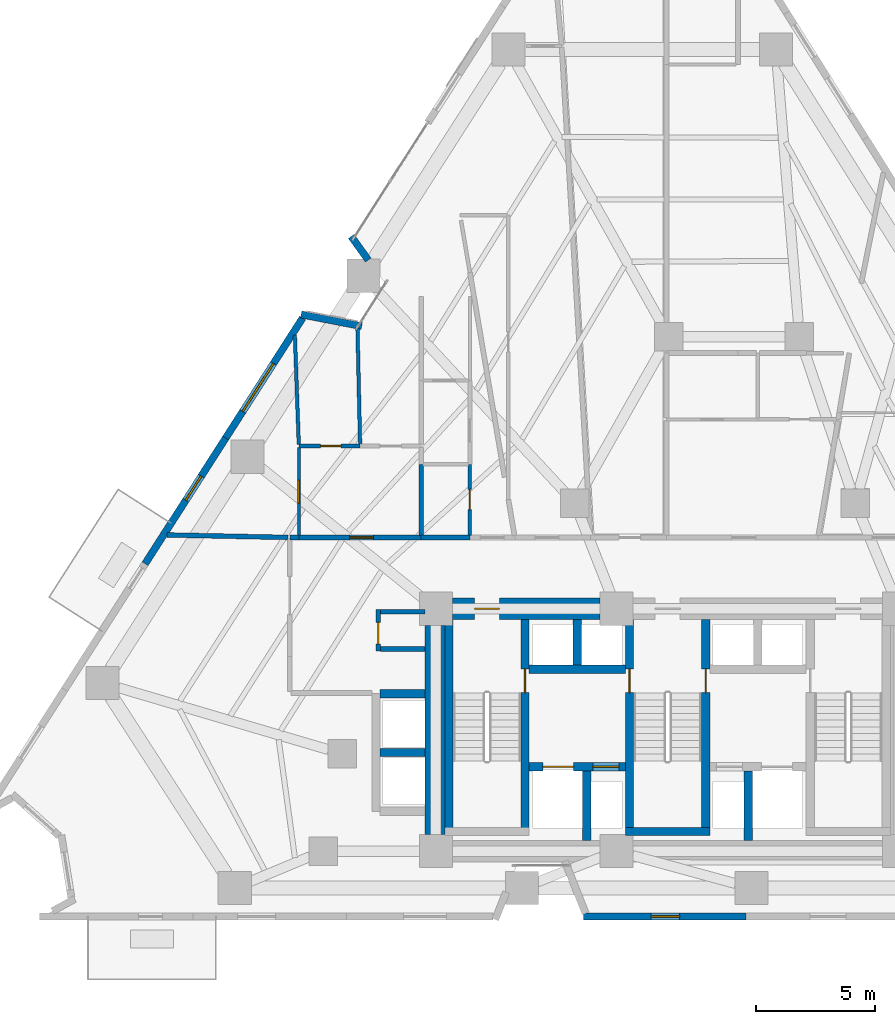
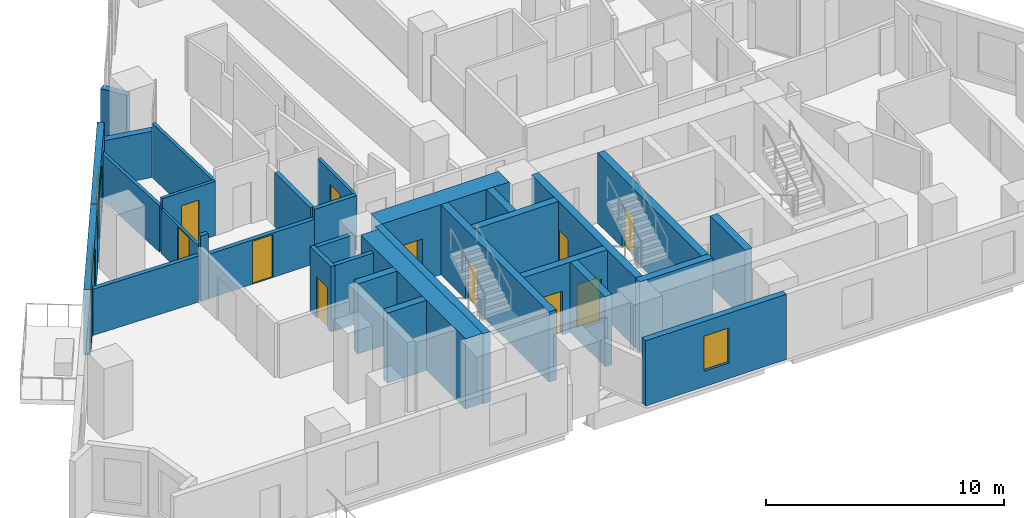
# One storey, part 6 of 14: 32 walls, 11 doors, 3 windows, 14 openings.
"""IFC4 building model written with IfcOpenShell, lengths in metres."""

from ifc_helpers import new_model, si_unit, direction, frame, frame_2d, origin, place, context, subcontext, project, spatial, rectangle, extrude, material, layer, layer_set, type_object, element, fill, save


model = new_model("IFC4")

# Units and contexts
model_context = context("Model", 3, precision=1e-05, world=origin(), true_north=direction((0.0, 1.0)))
body_context = subcontext(model_context, "Body", "Model", "MODEL_VIEW")
ifc_project = project(units=[si_unit("LENGTHUNIT", "METRE"), si_unit("AREAUNIT", "SQUARE_METRE"), si_unit("VOLUMEUNIT", "CUBIC_METRE"), si_unit("PLANEANGLEUNIT", "RADIAN"), si_unit("MASSUNIT", "GRAM", prefix="KILO")], contexts=[model_context])

# Site, building, storey
site_placement = place(None, origin())
site = spatial("IfcSite", under=ifc_project, at=site_placement, CompositionType="ELEMENT")
building_placement = place(site_placement, origin())
building = spatial("IfcBuilding", under=site, at=building_placement, Name="Almagre Mirador Tower", CompositionType="ELEMENT")
storey_placement = place(building_placement, frame((0.0, 0.0, 67.800048828125)))
storey = spatial("IfcBuildingStorey", under=building, at=storey_placement, Name="L16", CompositionType="ELEMENT", Elevation=67.800048828125)

# Walls
ifc_material_1 = material(Name="Precast concrete C50/60", Category="concrete")
ifc_layer_1 = layer(ifc_material_1, 0.300048828125)
ifc_layer_set_1 = layer_set([ifc_layer_1], Name="Precast concrete C50/60")
wall_type_1 = type_object("IfcWallType", Name="WAL-EXT-300", PredefinedType="SOLIDWALL", material=ifc_layer_set_1)
wall_1_placement = place(storey_placement, frame((21.878662109375, 27.134521484375, 0.0), z_axis=(0.0, 0.0, 1.0), x_axis=(0.981760587394, -0.190121406053, 0.0)))
element("IfcWall", 1, at=wall_1_placement, inside=storey, type_object=wall_type_1, Name="L16 expressed almagre precast frame wall 01", PredefinedType="SOLIDWALL", context=body_context, shape_type="SweptSolid", body=[
    extrude(rectangle(XDim=2.593994140625, YDim=0.300048828125, at=frame_2d((1.296875, 0.0))), origin(), (0.0, 0.0, 1.0), 2.375),
])
wall_2_placement = place(storey_placement, frame((24.7001953125, 29.423095703125, 0.0), z_axis=(0.0, 0.0, 1.0), x_axis=(-0.583004903736, 0.812468634607, 0.0)))
element("IfcWall", 2, at=wall_2_placement, inside=storey, type_object=wall_type_1, Name="L16 expressed almagre precast frame wall 02", PredefinedType="SOLIDWALL", context=body_context, shape_type="SweptSolid", body=[
    extrude(rectangle(XDim=1.227783203125, YDim=0.300048828125, at=frame_2d((0.61376953125, 0.0))), origin(), (0.0, 0.0, 1.0), 2.375),
])

# Wall, opening, window
wall_3_placement = place(storey_placement, frame((40.60498046875, 1.800048828125, 0.0), z_axis=(0.0, 0.0, 1.0), x_axis=(-1.0, 0.0, 0.0)))
wall_3 = element("IfcWall", 3, at=wall_3_placement, inside=storey, type_object=wall_type_1, Name="L16 expressed almagre precast frame wall 25", PredefinedType="SOLIDWALL", context=body_context, shape_type="SweptSolid", body=[
    extrude(rectangle(XDim=6.844970703125, YDim=0.300048828125, at=frame_2d((3.42236328125, 0.0))), origin(), (0.0, 0.0, 1.0), 3.349853515625),
])
opening_1_placement = place(wall_3_placement, frame((2.800048828125, 0.0, 0.800048828125)))
opening_1 = element("IfcOpeningElement", 4, at=opening_1_placement, cuts=wall_3, Name="Opening WN-04", PredefinedType="OPENING", context=body_context, shape_type="SweptSolid", body=[
    extrude(rectangle(XDim=1.199951171875, YDim=1.800048828125, at=frame_2d((0.60009765625, 0.89990234375))), frame((0.0, 0.159902, 0.0), z_axis=(0.0, -1.0, 0.0), x_axis=(1.0, 0.0, 0.0)), (0.0, 0.0, 1.0), 0.320049),
])
ifc_material_2 = material(Name="Dark solar-control laminated hurricane glass", Category="glass")
window_type_1 = type_object("IfcWindowType", Name="WIN-1200X1800", PartitioningType="SINGLE_PANEL", PredefinedType="WINDOW", material=ifc_material_2)
window_1_placement = place(opening_1_placement, origin())
window_1 = element("IfcWindow", 5, at=window_1_placement, inside=storey, type_object=window_type_1, Name="L16 recessed hurricane window L16-RST-B", OverallHeight=1.800048828125, OverallWidth=1.199951171875, PartitioningType="SINGLE_PANEL", PredefinedType="WINDOW", context=body_context, shape_type="SweptSolid", body=[
    extrude(rectangle(XDim=1.199951171875, YDim=1.800048828125, at=frame_2d((0.60009765625, 0.89990234375))), frame((0.0, 0.030029296875, 0.0), z_axis=(0.0, -1.0, 0.0), x_axis=(1.0, 0.0, 0.0)), (0.0, 0.0, 1.0), 0.06005859375),
])
fill(opening_1, window_1)

wall_4_placement = place(storey_placement, frame((15.310546875, 16.64306640625, 0.0), z_axis=(0.0, 0.0, 1.0), x_axis=(0.539502306827, 0.841984121542, 0.0)))
wall_4 = element("IfcWall", 6, at=wall_4_placement, inside=storey, type_object=wall_type_1, Name="L16 expressed almagre precast frame wall 37", PredefinedType="SOLIDWALL", context=body_context, shape_type="SweptSolid", body=[
    extrude(rectangle(XDim=6.2841796875, YDim=0.300048828125, at=frame_2d((3.14208984375, 0.0))), origin(), (0.0, 0.0, 1.0), 3.349853515625),
])
opening_2_placement = place(wall_4_placement, frame((3.175048828125, 0.0, 0.800048828125)))
opening_2 = element("IfcOpeningElement", 7, at=opening_2_placement, cuts=wall_4, Name="Opening WN-04", PredefinedType="OPENING", context=body_context, shape_type="SweptSolid", body=[
    extrude(rectangle(XDim=1.199951171875, YDim=1.800048828125, at=frame_2d((0.60009765625, 0.89990234375))), frame((0.0, 0.159902, 0.0), z_axis=(0.0, -1.0, 0.0), x_axis=(1.0, 0.0, 0.0)), (0.0, 0.0, 1.0), 0.320049),
])
window_2_placement = place(opening_2_placement, origin())
window_2 = element("IfcWindow", 8, at=window_2_placement, inside=storey, type_object=window_type_1, Name="L16 recessed hurricane window L16-UF-KT", OverallHeight=1.800048828125, OverallWidth=1.199951171875, PartitioningType="SINGLE_PANEL", PredefinedType="WINDOW", context=body_context, shape_type="SweptSolid", body=[
    extrude(rectangle(XDim=1.199951171875, YDim=1.800048828125, at=frame_2d((0.60009765625, 0.89990234375))), frame((0.0, 0.030029296875, 0.0), z_axis=(0.0, -1.0, 0.0), x_axis=(1.0, 0.0, 0.0)), (0.0, 0.0, 1.0), 0.06005859375),
])
fill(opening_2, window_2)

wall_5_placement = place(storey_placement, frame((18.700927734375, 21.934326171875, 0.0), z_axis=(0.0, 0.0, 1.0), x_axis=(0.539511671319, 0.841978121159, 0.0)))
wall_5 = element("IfcWall", 9, at=wall_5_placement, inside=storey, type_object=wall_type_1, Name="L16 expressed almagre precast frame wall 38", PredefinedType="SOLIDWALL", context=body_context, shape_type="SweptSolid", body=[
    extrude(rectangle(XDim=6.00439453125, YDim=0.300048828125, at=frame_2d((3.002197265625, 0.0))), origin(), (0.0, 0.0, 1.0), 3.349853515625),
])
opening_3_placement = place(wall_5_placement, frame((1.324951171875, 0.0, 0.60009765625)))
opening_3 = element("IfcOpeningElement", 10, at=opening_3_placement, cuts=wall_5, Name="Opening WN-02", PredefinedType="OPENING", context=body_context, shape_type="SweptSolid", body=[
    extrude(rectangle(XDim=2.39990234375, YDim=2.10009765625, at=frame_2d((1.199951171875, 1.050048828125))), frame((0.0, 0.159902, 0.0), z_axis=(0.0, -1.0, 0.0), x_axis=(1.0, 0.0, 0.0)), (0.0, 0.0, 1.0), 0.320049),
])
ifc_material_3 = material(Name="Dark solar-control laminated hurricane glass", Category="glass")
window_type_2 = type_object("IfcWindowType", Name="WIN-2400X2100", PartitioningType="TRIPLE_PANEL_VERTICAL", PredefinedType="WINDOW", material=ifc_material_3)
window_3_placement = place(opening_3_placement, origin())
window_3 = element("IfcWindow", 11, at=window_3_placement, inside=storey, type_object=window_type_2, Name="L16 recessed hurricane window L16-UF-KT", OverallHeight=2.10009765625, OverallWidth=2.39990234375, PartitioningType="SINGLE_PANEL", PredefinedType="WINDOW", context=body_context, shape_type="SweptSolid", body=[
    extrude(rectangle(XDim=2.39990234375, YDim=2.10009765625, at=frame_2d((1.199951171875, 1.050048828125))), frame((0.0, 0.030029296875, 0.0), z_axis=(0.0, -1.0, 0.0), x_axis=(1.0, 0.0, 0.0)), (0.0, 0.0, 1.0), 0.06005859375),
])
fill(opening_3, window_3)

# Wall, opening, door
ifc_material_4 = material(Name="Gypsum acoustic stud partition", Category="other")
ifc_layer_2 = layer(ifc_material_4, 0.125)
ifc_layer_set_2 = layer_set([ifc_layer_2], Name="Gypsum acoustic stud partition")
wall_type_2 = type_object("IfcWallType", Name="WAL-PRT-125-UTL", PredefinedType="PARTITIONING", material=ifc_layer_set_2)
wall_6_placement = place(storey_placement, frame((21.780029296875, 21.5400390625, 0.0), z_axis=(0.0, 0.0, 1.0), x_axis=(0.0, -1.0, 0.0)))
wall_6 = element("IfcWall", 12, at=wall_6_placement, inside=storey, type_object=wall_type_2, Name="L16 interior partition 038", PredefinedType="PARTITIONING", context=body_context, shape_type="SweptSolid", body=[
    extrude(rectangle(XDim=3.705078125, YDim=0.125, at=frame_2d((1.8525390625, 0.0))), origin(), (0.0, 0.0, 1.0), 2.279052734375),
])
opening_4_placement = place(wall_6_placement, frame((1.389892578125, 0.0, 0.0)))
opening_4 = element("IfcOpeningElement", 13, at=opening_4_placement, cuts=wall_6, Name="Opening UD-01", PredefinedType="OPENING", context=body_context, shape_type="SweptSolid", body=[
    extrude(rectangle(XDim=0.949951171875, YDim=2.199951171875, at=frame_2d((0.47509765625, 1.10009765625))), frame((0.0, 0.0725, 0.0), z_axis=(0.0, -1.0, 0.0), x_axis=(1.0, 0.0, 0.0)), (0.0, 0.0, 1.0), 0.145),
])
ifc_material_5 = material(Name="Solid American walnut timber", Category="wood")
door_type_1 = type_object("IfcDoorType", Name="DOR-UNR-950X2200", OperationType="NOTDEFINED", PredefinedType="DOOR", material=ifc_material_5)
door_1_placement = place(opening_4_placement, origin())
door_1 = element("IfcDoor", 14, at=door_1_placement, inside=storey, type_object=door_type_1, Name="DR-0544 L16 interior door L16-UF-LV to L16-UF-KT", OperationType="SINGLE_SWING_RIGHT", OverallHeight=2.199951171875, OverallWidth=0.949951171875, PredefinedType="DOOR", context=body_context, shape_type="SweptSolid", body=[
    extrude(rectangle(XDim=0.949951171875, YDim=2.199951171875, at=frame_2d((0.47509765625, 1.10009765625))), frame((0.0, 0.02490234375, 0.0), z_axis=(0.0, -1.0, 0.0), x_axis=(1.0, 0.0, 0.0)), (0.0, 0.0, 1.0), 0.050048828125),
])
fill(opening_4, door_1)

ifc_material_6 = material(Name="Gypsum acoustic stud partition", Category="other")
ifc_layer_3 = layer(ifc_material_6, 0.14990234375)
ifc_layer_set_3 = layer_set([ifc_layer_3], Name="Gypsum acoustic stud partition")
wall_type_3 = type_object("IfcWallType", Name="WAL-PRT-150-STD", PredefinedType="PARTITIONING", material=ifc_layer_set_3)
wall_7_placement = place(storey_placement, frame((24.360107421875, 21.60009765625, 0.0), z_axis=(0.0, 0.0, 1.0), x_axis=(-1.0, 0.0, 0.0)))
wall_7 = element("IfcWall", 15, at=wall_7_placement, inside=storey, type_object=wall_type_3, Name="L16 interior partition 037", PredefinedType="PARTITIONING", context=body_context, shape_type="SweptSolid", body=[
    extrude(rectangle(XDim=2.580078125, YDim=0.14990234375, at=frame_2d((1.2900390625, 0.0))), origin(), (0.0, 0.0, 1.0), 2.786865234375),
])
opening_5_placement = place(wall_7_placement, frame((0.80908203125, 0.0, 0.0)))
opening_5 = element("IfcOpeningElement", 16, at=opening_5_placement, cuts=wall_7, Name="Opening UD-04", PredefinedType="OPENING", context=body_context, shape_type="SweptSolid", body=[
    extrude(rectangle(XDim=0.85009765625, YDim=2.10009765625, at=frame_2d((0.425048828125, 1.050048828125))), frame((0.0, 0.084951, 0.0), z_axis=(0.0, -1.0, 0.0), x_axis=(1.0, 0.0, 0.0)), (0.0, 0.0, 1.0), 0.169902),
])
ifc_material_7 = material(Name="Moisture-resistant oak timber", Category="wood")
door_type_2 = type_object("IfcDoorType", Name="DOR-UNR-850X2100", OperationType="NOTDEFINED", PredefinedType="DOOR", material=ifc_material_7)
door_2_placement = place(opening_5_placement, origin())
door_2 = element("IfcDoor", 17, at=door_2_placement, inside=storey, type_object=door_type_2, Name="DR-0545 L16 interior door L16-UF-LV to L16-UF-HB", OperationType="SINGLE_SWING_LEFT", OverallHeight=2.10009765625, OverallWidth=0.85009765625, PredefinedType="DOOR", context=body_context, shape_type="SweptSolid", body=[
    extrude(rectangle(XDim=0.85009765625, YDim=2.10009765625, at=frame_2d((0.425048828125, 1.050048828125))), frame((0.0, 0.02490234375, 0.0), z_axis=(0.0, -1.0, 0.0), x_axis=(1.0, 0.0, 0.0)), (0.0, 0.0, 1.0), 0.050048828125),
])
fill(opening_5, door_2)

# Walls
wall_8_placement = place(storey_placement, frame((21.614013671875, 26.261962890625, 0.0), z_axis=(0.0, 0.0, 1.0), x_axis=(0.035733133252, -0.999361367668, 0.0)))
element("IfcWall", 18, at=wall_8_placement, inside=storey, type_object=wall_type_3, Name="L16 interior partition 042", PredefinedType="PARTITIONING", context=body_context, shape_type="SweptSolid", body=[
    extrude(rectangle(XDim=4.60498046875, YDim=0.14990234375, at=frame_2d((2.302490234375, 0.0))), origin(), (0.0, 0.0, 1.0), 2.369873046875),
])
wall_9_placement = place(storey_placement, frame((24.359130859375, 21.659912109375, 0.0), z_axis=(0.0, 0.0, 1.0), x_axis=(-0.02266370042, 0.999743145354, 0.0)))
element("IfcWall", 19, at=wall_9_placement, inside=storey, type_object=wall_type_3, Name="L16 interior partition 043", PredefinedType="PARTITIONING", context=body_context, shape_type="SweptSolid", body=[
    extrude(rectangle(XDim=4.9013671875, YDim=0.14990234375, at=frame_2d((2.45068359375, 0.0))), origin(), (0.0, 0.0, 1.0), 2.786865234375),
])

# Wall, opening, door
wall_10_placement = place(storey_placement, frame((28.97998046875, 20.830078125, 0.0), z_axis=(0.0, 0.0, 1.0), x_axis=(0.0, -1.0, 0.0)))
wall_10 = element("IfcWall", 20, at=wall_10_placement, inside=storey, type_object=wall_type_3, Name="L16 interior partition 046", PredefinedType="PARTITIONING", context=body_context, shape_type="SweptSolid", body=[
    extrude(rectangle(XDim=2.9951171875, YDim=0.14990234375, at=frame_2d((1.49755859375, 0.0))), origin(), (0.0, 0.0, 1.0), 2.786865234375),
])
opening_6_placement = place(wall_10_placement, frame((1.0576171875, 0.0, 0.0)))
opening_6 = element("IfcOpeningElement", 21, at=opening_6_placement, cuts=wall_10, Name="Opening UD-04", PredefinedType="OPENING", context=body_context, shape_type="SweptSolid", body=[
    extrude(rectangle(XDim=0.85009765625, YDim=2.10009765625, at=frame_2d((0.425048828125, 1.050048828125))), frame((0.0, 0.084951, 0.0), z_axis=(0.0, -1.0, 0.0), x_axis=(1.0, 0.0, 0.0)), (0.0, 0.0, 1.0), 0.169902),
])
door_3_placement = place(opening_6_placement, origin())
door_3 = element("IfcDoor", 22, at=door_3_placement, inside=storey, type_object=door_type_2, Name="DR-0550 L16 interior door L16-UG-ST to L16-UG-HB", OperationType="SINGLE_SWING_LEFT", OverallHeight=2.10009765625, OverallWidth=0.85009765625, PredefinedType="DOOR", context=body_context, shape_type="SweptSolid", body=[
    extrude(rectangle(XDim=0.85009765625, YDim=2.10009765625, at=frame_2d((0.425048828125, 1.050048828125))), frame((0.0, 0.02490234375, 0.0), z_axis=(0.0, -1.0, 0.0), x_axis=(1.0, 0.0, 0.0)), (0.0, 0.0, 1.0), 0.050048828125),
])
fill(opening_6, door_3)

ifc_material_8 = material(Name="Gypsum acoustic stud partition", Category="other")
ifc_layer_4 = layer(ifc_material_8, 0.199951171875)
ifc_layer_set_4 = layer_set([ifc_layer_4], Name="Gypsum acoustic stud partition")
wall_type_4 = type_object("IfcWallType", Name="WAL-PRT-200-EI60", PredefinedType="PARTITIONING", material=ifc_layer_set_4)
wall_11_placement = place(storey_placement, frame((25.1201171875, 12.969970703125, 0.0), z_axis=(0.0, 0.0, 1.0), x_axis=(0.0, 1.0, 0.0)))
wall_11 = element("IfcWall", 23, at=wall_11_placement, inside=storey, type_object=wall_type_4, Name="L16 core ancillary west wall", PredefinedType="PARTITIONING", context=body_context, shape_type="SweptSolid", body=[
    extrude(rectangle(XDim=1.739990234375, YDim=0.199951171875, at=frame_2d((0.8701171875, 0.0))), origin(), (0.0, 0.0, 1.0), 3.349853515625),
])
opening_7_placement = place(wall_11_placement, frame((0.304931640625, 0.0, 0.0)))
opening_7 = element("IfcOpeningElement", 24, at=opening_7_placement, cuts=wall_11, Name="Opening ID-03", PredefinedType="OPENING", context=body_context, shape_type="SweptSolid", body=[
    extrude(rectangle(XDim=0.89990234375, YDim=2.10009765625, at=frame_2d((0.449951171875, 1.050048828125))), frame((0.0, 0.110098, 0.0), z_axis=(0.0, -1.0, 0.0), x_axis=(1.0, 0.0, 0.0)), (0.0, 0.0, 1.0), 0.219951),
])
ifc_material_9 = material(Name="Fire-rated hollow steel", Category="steel")
door_type_3 = type_object("IfcDoorType", Name="DOR-FD60-900X2100", OperationType="NOTDEFINED", PredefinedType="DOOR", material=ifc_material_9)
door_4_placement = place(opening_7_placement, origin())
door_4 = element("IfcDoor", 25, at=door_4_placement, inside=storey, type_object=door_type_3, Name="DR-0531 L16 core ancillary corridor door", OperationType="SINGLE_SWING_LEFT", OverallHeight=2.10009765625, OverallWidth=0.89990234375, PredefinedType="DOOR", context=body_context, shape_type="SweptSolid", body=[
    extrude(rectangle(XDim=0.89990234375, YDim=2.10009765625, at=frame_2d((0.449951171875, 1.050048828125))), frame((0.0, 0.02490234375, 0.0), z_axis=(0.0, -1.0, 0.0), x_axis=(1.0, 0.0, 0.0)), (0.0, 0.0, 1.0), 0.050048828125),
])
fill(opening_7, door_4)

# Walls
for number, where, z_axis, x_axis, name in (
    (26, (25.22509765625, 14.6201171875, 0.0), (0.0, 0.0, 1.0), (1.0, 0.0, 0.0), "L16 core ancillary north wall"),
    (27, (25.22509765625, 13.06005859375, 0.0), (0.0, 0.0, 1.0), (1.0, 0.0, 0.0), "L16 core ancillary south wall"),
):
    element("IfcWall", number, at=place(storey_placement, frame(where, z_axis=z_axis, x_axis=x_axis)), inside=storey, type_object=wall_type_4, Name=name, PredefinedType="PARTITIONING", context=body_context, shape_type="SweptSolid", body=[
        extrude(rectangle(XDim=1.85986328125, YDim=0.199951171875, at=frame_2d((0.929931640625, 0.0))), origin(), (0.0, 0.0, 1.0), 3.349853515625),
    ])

# Wall, opening, door
wall_12_placement = place(storey_placement, frame((26.929931640625, 17.75, 0.0), z_axis=(0.0, 0.0, 1.0), x_axis=(-1.0, 0.0, 0.0)))
wall_12 = element("IfcWall", 28, at=wall_12_placement, inside=storey, type_object=wall_type_4, Name="L16 interior partition 008", PredefinedType="PARTITIONING", context=body_context, shape_type="SweptSolid", body=[
    extrude(rectangle(XDim=5.14990234375, YDim=0.199951171875, at=frame_2d((2.574951171875, 0.0))), origin(), (0.0, 0.0, 1.0), 2.279052734375),
])
opening_8_placement = place(wall_12_placement, frame((2.016357421875, 0.0, 0.0)))
opening_8 = element("IfcOpeningElement", 29, at=opening_8_placement, cuts=wall_12, Name="Opening ID-01", PredefinedType="OPENING", context=body_context, shape_type="SweptSolid", body=[
    extrude(rectangle(XDim=1.0, YDim=2.199951171875, at=frame_2d((0.5, 1.10009765625))), frame((0.0, 0.110098, 0.0), z_axis=(0.0, -1.0, 0.0), x_axis=(1.0, 0.0, 0.0)), (0.0, 0.0, 1.0), 0.219951),
])
ifc_material_10 = material(Name="Fire-rated walnut timber", Category="wood")
door_type_4 = type_object("IfcDoorType", Name="DOR-FD60-1000X2200", OperationType="NOTDEFINED", PredefinedType="DOOR", material=ifc_material_10)
door_5_placement = place(opening_8_placement, origin())
door_5 = element("IfcDoor", 30, at=door_5_placement, inside=storey, type_object=door_type_4, Name="DR-0543 L16 interior door L16-RCOR to L16-UF-LV", OperationType="SINGLE_SWING_LEFT", OverallHeight=2.199951171875, OverallWidth=1.0, PredefinedType="DOOR", context=body_context, shape_type="SweptSolid", body=[
    extrude(rectangle(XDim=1.0, YDim=2.199951171875, at=frame_2d((0.5, 1.10009765625))), frame((0.0, 0.02490234375, 0.0), z_axis=(0.0, -1.0, 0.0), x_axis=(1.0, 0.0, 0.0)), (0.0, 0.0, 1.0), 0.050048828125),
])
fill(opening_8, door_5)

# Walls
wall_13_placement = place(storey_placement, frame((21.780029296875, 17.75, 0.0), z_axis=(0.0, 0.0, 1.0), x_axis=(-1.0, 0.0, 0.0)))
element("IfcWall", 31, at=wall_13_placement, inside=storey, type_object=wall_type_4, Name="L16 interior partition 009", PredefinedType="PARTITIONING", context=body_context, shape_type="SweptSolid", body=[
    extrude(rectangle(XDim=0.380126953125, YDim=0.199951171875, at=frame_2d((0.18994140625, 0.0))), origin(), (0.0, 0.0, 1.0), 3.349853515625),
])
wall_14_placement = place(storey_placement, frame((28.97998046875, 17.75, 0.0), z_axis=(0.0, 0.0, 1.0), x_axis=(-1.0, 0.0, 0.0)))
element("IfcWall", 32, at=wall_14_placement, inside=storey, type_object=wall_type_4, Name="L16 interior partition 011", PredefinedType="PARTITIONING", context=body_context, shape_type="SweptSolid", body=[
    extrude(rectangle(XDim=2.050048828125, YDim=0.199951171875, at=frame_2d((1.02490234375, 0.0))), origin(), (0.0, 0.0, 1.0), 2.786865234375),
])
wall_15_placement = place(storey_placement, frame((21.31494140625, 17.751220703125, 0.0), z_axis=(0.0, 0.0, 1.0), x_axis=(-0.999792117948, 0.020389234651, 0.0)))
element("IfcWall", 33, at=wall_15_placement, inside=storey, type_object=wall_type_4, Name="L16 interior partition 031", PredefinedType="PARTITIONING", context=body_context, shape_type="SweptSolid", body=[
    extrude(rectangle(XDim=5.0888671875, YDim=0.199951171875, at=frame_2d((2.54443359375, 0.0))), origin(), (0.0, 0.0, 1.0), 2.369873046875),
])
wall_16_placement = place(storey_placement, frame((26.929931640625, 17.8349609375, 0.0), z_axis=(0.0, 0.0, 1.0), x_axis=(0.0, 1.0, 0.0)))
element("IfcWall", 34, at=wall_16_placement, inside=storey, type_object=wall_type_4, Name="L16 interior partition 040", PredefinedType="PARTITIONING", context=body_context, shape_type="SweptSolid", body=[
    extrude(rectangle(XDim=2.9951171875, YDim=0.199951171875, at=frame_2d((1.49755859375, 0.0))), origin(), (0.0, 0.0, 1.0), 2.786865234375),
])
ifc_material_11 = material(Name="Concrete C60/75", Category="concrete")
ifc_layer_5 = layer(ifc_material_11, 0.35009765625)
ifc_layer_set_5 = layer_set([ifc_layer_5], Name="Concrete C60/75")
wall_type_5 = type_object("IfcWallType", Name="WAL-SHF-350", PredefinedType="SOLIDWALL", material=ifc_layer_set_5)
wall_17_placement = place(storey_placement, frame((28.10009765625, 5.199951171875, 0.0), z_axis=(0.0, 0.0, 1.0), x_axis=(0.0, 1.0, 0.0)))
element("IfcWall", 35, at=wall_17_placement, inside=storey, type_object=wall_type_5, Name="L16 shaft wall ST1-W", PredefinedType="SOLIDWALL", context=body_context, shape_type="SweptSolid", body=[
    extrude(rectangle(XDim=9.10009765625, YDim=0.35009765625, at=frame_2d((4.550048828125, 0.0))), origin(), (0.0, 0.0, 1.0), 3.599853515625),
])

# Wall, opening, door
wall_18_placement = place(storey_placement, frame((31.300048828125, 5.199951171875, 0.0), z_axis=(0.0, 0.0, 1.0), x_axis=(0.0, 1.0, 0.0)))
wall_18 = element("IfcWall", 36, at=wall_18_placement, inside=storey, type_object=wall_type_5, Name="L16 shaft wall ST1-E", PredefinedType="SOLIDWALL", context=body_context, shape_type="SweptSolid", body=[
    extrude(rectangle(XDim=9.10009765625, YDim=0.35009765625, at=frame_2d((4.550048828125, 0.0))), origin(), (0.0, 0.0, 1.0), 3.599853515625),
])
opening_9_placement = place(wall_18_placement, frame((6.02001953125, 0.0, 0.0)))
opening_9 = element("IfcOpeningElement", 37, at=opening_9_placement, cuts=wall_18, Name="Opening FD-01", PredefinedType="OPENING", context=body_context, shape_type="SweptSolid", body=[
    extrude(rectangle(XDim=1.0, YDim=2.14990234375, at=frame_2d((0.5, 1.074951171875))), frame((0.0, 0.185049, 0.0), z_axis=(0.0, -1.0, 0.0), x_axis=(1.0, 0.0, 0.0)), (0.0, 0.0, 1.0), 0.370098),
])
ifc_material_12 = material(Name="Fire-rated hollow steel", Category="steel")
door_type_5 = type_object("IfcDoorType", Name="DOR-FFL-1000X2150", OperationType="NOTDEFINED", PredefinedType="DOOR", material=ifc_material_12)
door_6_placement = place(opening_9_placement, origin())
door_6 = element("IfcDoor", 38, at=door_6_placement, inside=storey, type_object=door_type_5, Name="DR-0532 L16 FFL1-ST1 smokeproof door", OperationType="SINGLE_SWING_LEFT", OverallHeight=2.14990234375, OverallWidth=1.0, PredefinedType="DOOR", context=body_context, shape_type="SweptSolid", body=[
    extrude(rectangle(XDim=1.0, YDim=2.14990234375, at=frame_2d((0.5, 1.074951171875))), frame((0.0, 0.02490234375, 0.0), z_axis=(0.0, -1.0, 0.0), x_axis=(1.0, 0.0, 0.0)), (0.0, 0.0, 1.0), 0.050048828125),
])
fill(opening_9, door_6)

wall_19_placement = place(storey_placement, frame((35.699951171875, 5.199951171875, 0.0), z_axis=(0.0, 0.0, 1.0), x_axis=(0.0, 1.0, 0.0)))
wall_19 = element("IfcWall", 39, at=wall_19_placement, inside=storey, type_object=wall_type_5, Name="L16 shaft wall ST2-W", PredefinedType="SOLIDWALL", context=body_context, shape_type="SweptSolid", body=[
    extrude(rectangle(XDim=9.10009765625, YDim=0.35009765625, at=frame_2d((4.550048828125, 0.0))), origin(), (0.0, 0.0, 1.0), 3.599853515625),
])
opening_10_placement = place(wall_19_placement, frame((6.02001953125, 0.0, 0.0)))
opening_10 = element("IfcOpeningElement", 40, at=opening_10_placement, cuts=wall_19, Name="Opening FD-01", PredefinedType="OPENING", context=body_context, shape_type="SweptSolid", body=[
    extrude(rectangle(XDim=1.0, YDim=2.14990234375, at=frame_2d((0.5, 1.074951171875))), frame((0.0, 0.185049, 0.0), z_axis=(0.0, -1.0, 0.0), x_axis=(1.0, 0.0, 0.0)), (0.0, 0.0, 1.0), 0.370098),
])
door_7_placement = place(opening_10_placement, origin())
door_7 = element("IfcDoor", 41, at=door_7_placement, inside=storey, type_object=door_type_5, Name="DR-0533 L16 FFL1-ST2 smokeproof door", OperationType="SINGLE_SWING_RIGHT", OverallHeight=2.14990234375, OverallWidth=1.0, PredefinedType="DOOR", context=body_context, shape_type="SweptSolid", body=[
    extrude(rectangle(XDim=1.0, YDim=2.14990234375, at=frame_2d((0.5, 1.074951171875))), frame((0.0, 0.02490234375, 0.0), z_axis=(0.0, -1.0, 0.0), x_axis=(1.0, 0.0, 0.0)), (0.0, 0.0, 1.0), 0.050048828125),
])
fill(opening_10, door_7)

wall_20_placement = place(storey_placement, frame((38.89990234375, 5.199951171875, 0.0), z_axis=(0.0, 0.0, 1.0), x_axis=(0.0, 1.0, 0.0)))
wall_20 = element("IfcWall", 42, at=wall_20_placement, inside=storey, type_object=wall_type_5, Name="L16 shaft wall ST2-E", PredefinedType="SOLIDWALL", context=body_context, shape_type="SweptSolid", body=[
    extrude(rectangle(XDim=9.10009765625, YDim=0.35009765625, at=frame_2d((4.550048828125, 0.0))), origin(), (0.0, 0.0, 1.0), 3.599853515625),
])
opening_11_placement = place(wall_20_placement, frame((6.02001953125, 0.0, 0.0)))
opening_11 = element("IfcOpeningElement", 43, at=opening_11_placement, cuts=wall_20, Name="Opening FD-01", PredefinedType="OPENING", context=body_context, shape_type="SweptSolid", body=[
    extrude(rectangle(XDim=1.0, YDim=2.14990234375, at=frame_2d((0.5, 1.074951171875))), frame((0.0, 0.185049, 0.0), z_axis=(0.0, -1.0, 0.0), x_axis=(1.0, 0.0, 0.0)), (0.0, 0.0, 1.0), 0.370098),
])
door_8_placement = place(opening_11_placement, origin())
door_8 = element("IfcDoor", 44, at=door_8_placement, inside=storey, type_object=door_type_5, Name="DR-0534 L16 FFL2-ST2 smokeproof door", OperationType="SINGLE_SWING_LEFT", OverallHeight=2.14990234375, OverallWidth=1.0, PredefinedType="DOOR", context=body_context, shape_type="SweptSolid", body=[
    extrude(rectangle(XDim=1.0, YDim=2.14990234375, at=frame_2d((0.5, 1.074951171875))), frame((0.0, 0.02490234375, 0.0), z_axis=(0.0, -1.0, 0.0), x_axis=(1.0, 0.0, 0.0)), (0.0, 0.0, 1.0), 0.050048828125),
])
fill(opening_11, door_8)

# Wall
wall_21_placement = place(storey_placement, frame((35.52490234375, 5.375, 0.0), z_axis=(0.0, 0.0, 1.0), x_axis=(1.0, 0.0, 0.0)))
element("IfcWall", 45, at=wall_21_placement, inside=storey, type_object=wall_type_5, Name="L16 shaft wall ST2-S", PredefinedType="SOLIDWALL", context=body_context, shape_type="SweptSolid", body=[
    extrude(rectangle(XDim=3.550048828125, YDim=0.35009765625, at=frame_2d((1.77490234375, 0.0))), origin(), (0.0, 0.0, 1.0), 3.599853515625),
])

# Wall, openings, doors
wall_22_placement = place(storey_placement, frame((31.47509765625, 8.10009765625, 0.0), z_axis=(0.0, 0.0, 1.0), x_axis=(1.0, 0.0, 0.0)))
wall_22 = element("IfcWall", 46, at=wall_22_placement, inside=storey, type_object=wall_type_5, Name="L16 shaft wall FSAE1-N", PredefinedType="SOLIDWALL", context=body_context, shape_type="SweptSolid", body=[
    extrude(rectangle(XDim=4.0498046875, YDim=0.35009765625, at=frame_2d((2.02490234375, 0.0))), origin(), (0.0, 0.0, 1.0), 3.599853515625),
])
opening_12_placement = place(wall_22_placement, frame((0.574951171875, 0.0, 0.0)))
opening_12 = element("IfcOpeningElement", 47, at=opening_12_placement, cuts=wall_22, Name="Opening LD-03", PredefinedType="OPENING", context=body_context, shape_type="SweptSolid", body=[
    extrude(rectangle(XDim=1.300048828125, YDim=2.25, at=frame_2d((0.64990234375, 1.125))), frame((0.0, 0.185049, 0.0), z_axis=(0.0, -1.0, 0.0), x_axis=(1.0, 0.0, 0.0)), (0.0, 0.0, 1.0), 0.370098),
])
opening_13_placement = place(wall_22_placement, frame((2.675048828125, 0.0, 0.0)))
opening_13 = element("IfcOpeningElement", 48, at=opening_13_placement, cuts=wall_22, Name="Opening LD-01", PredefinedType="OPENING", context=body_context, shape_type="SweptSolid", body=[
    extrude(rectangle(XDim=1.10009765625, YDim=2.199951171875, at=frame_2d((0.550048828125, 1.10009765625))), frame((0.0, 0.185049, 0.0), z_axis=(0.0, -1.0, 0.0), x_axis=(1.0, 0.0, 0.0)), (0.0, 0.0, 1.0), 0.370098),
])
ifc_material_13 = material(Name="Hollow stainless steel", Category="steel")
door_type_6 = type_object("IfcDoorType", Name="DOR-LD-1100X2200", OperationType="DOUBLE_DOOR_SLIDING", PredefinedType="DOOR", material=ifc_material_13)
door_9_placement = place(opening_13_placement, origin())
door_9 = element("IfcDoor", 49, at=door_9_placement, inside=storey, type_object=door_type_6, Name="DR-0565 L16 PL-L1 lift landing door", OperationType="DOUBLE_DOOR_SLIDING", OverallHeight=2.199951171875, OverallWidth=1.10009765625, PredefinedType="DOOR", context=body_context, shape_type="SweptSolid", body=[
    extrude(rectangle(XDim=1.10009765625, YDim=2.199951171875, at=frame_2d((0.550048828125, 1.10009765625))), frame((0.0, 0.02490234375, 0.0), z_axis=(0.0, -1.0, 0.0), x_axis=(1.0, 0.0, 0.0)), (0.0, 0.0, 1.0), 0.050048828125),
])
fill(opening_13, door_9)
ifc_material_14 = material(Name="Hollow stainless steel", Category="steel")
door_type_7 = type_object("IfcDoorType", Name="DOR-LD-1300X2250", OperationType="DOUBLE_DOOR_SLIDING", PredefinedType="DOOR", material=ifc_material_14)
door_10_placement = place(opening_12_placement, origin())
door_10 = element("IfcDoor", 50, at=door_10_placement, inside=storey, type_object=door_type_7, Name="DR-0563 L16 FSAE-1 lift landing door", OperationType="DOUBLE_DOOR_SLIDING", OverallHeight=2.25, OverallWidth=1.300048828125, PredefinedType="DOOR", context=body_context, shape_type="SweptSolid", body=[
    extrude(rectangle(XDim=1.300048828125, YDim=2.25, at=frame_2d((0.64990234375, 1.125))), frame((0.0, 0.02490234375, 0.0), z_axis=(0.0, -1.0, 0.0), x_axis=(1.0, 0.0, 0.0)), (0.0, 0.0, 1.0), 0.050048828125),
])
fill(opening_12, door_10)

# Walls
for number, where, z_axis, x_axis, name in (
    (51, (33.89990234375, 5.0, 0.0), (0.0, 0.0, 1.0), (0.0, 1.0, 0.0), "L16 shaft wall FSAE1-E"),
    (52, (40.699951171875, 5.0, 0.0), (0.0, 0.0, 1.0), (0.0, 1.0, 0.0), "L16 shaft wall FSAE2-W"),
):
    element("IfcWall", number, at=place(storey_placement, frame(where, z_axis=z_axis, x_axis=x_axis)), inside=storey, type_object=wall_type_5, Name=name, PredefinedType="SOLIDWALL", context=body_context, shape_type="SweptSolid", body=[
        extrude(rectangle(XDim=2.925048828125, YDim=0.35009765625, at=frame_2d((1.46240234375, 0.0))), origin(), (0.0, 0.0, 1.0), 3.599853515625),
    ])
wall_23_placement = place(storey_placement, frame((31.47509765625, 12.199951171875, 0.0), z_axis=(0.0, 0.0, 1.0), x_axis=(1.0, 0.0, 0.0)))
element("IfcWall", 53, at=wall_23_placement, inside=storey, type_object=wall_type_5, Name="L16 shaft wall PLM-S", PredefinedType="SOLIDWALL", context=body_context, shape_type="SweptSolid", body=[
    extrude(rectangle(XDim=4.0498046875, YDim=0.35009765625, at=frame_2d((2.02490234375, 0.0))), origin(), (0.0, 0.0, 1.0), 3.599853515625),
])
wall_24_placement = place(storey_placement, frame((33.5, 12.375, 0.0), z_axis=(0.0, 0.0, 1.0), x_axis=(0.0, 1.0, 0.0)))
element("IfcWall", 54, at=wall_24_placement, inside=storey, type_object=wall_type_5, Name="L16 shaft wall PLM-M", PredefinedType="SOLIDWALL", context=body_context, shape_type="SweptSolid", body=[
    extrude(rectangle(XDim=1.925048828125, YDim=0.35009765625, at=frame_2d((0.96240234375, 0.0))), origin(), (0.0, 0.0, 1.0), 3.599853515625),
])
for number, where, z_axis, x_axis, name in (
    (55, (25.199951171875, 8.699951171875, 0.0), (0.0, 0.0, 1.0), (1.0, 0.0, 0.0), "L16 shaft wall OL-M"),
    (56, (25.199951171875, 11.175048828125, 0.0), (0.0, 0.0, 1.0), (1.0, 0.0, 0.0), "L16 shaft wall OL-N"),
):
    element("IfcWall", number, at=place(storey_placement, frame(where, z_axis=z_axis, x_axis=x_axis)), inside=storey, type_object=wall_type_5, Name=name, PredefinedType="SOLIDWALL", context=body_context, shape_type="SweptSolid", body=[
        extrude(rectangle(XDim=1.900146484375, YDim=0.35009765625, at=frame_2d((0.9501953125, 0.0))), origin(), (0.0, 0.0, 1.0), 3.599853515625),
    ])

# Wall, opening, door
ifc_material_15 = material(Name="Concrete C70/85", Category="concrete")
ifc_layer_6 = layer(ifc_material_15, 0.89990234375)
ifc_layer_set_6 = layer_set([ifc_layer_6], Name="Concrete C70/85")
wall_type_6 = type_object("IfcWallType", Name="WAL-SHR-900", PredefinedType="SHEAR", material=ifc_layer_set_6)
wall_25_placement = place(storey_placement, frame((28.25, 14.75, 0.0), z_axis=(0.0, 0.0, 1.0), x_axis=(1.0, 0.0, 0.0)))
wall_25 = element("IfcWall", 57, at=wall_25_placement, inside=storey, type_object=wall_type_6, Name="L16 core shear wall N1", PredefinedType="SHEAR", context=body_context, shape_type="SweptSolid", body=[
    extrude(rectangle(XDim=6.199951171875, YDim=0.89990234375, at=frame_2d((3.10009765625, 0.0))), origin(), (0.0, 0.0, 1.0), 3.599853515625),
])
opening_14_placement = place(wall_25_placement, frame((0.925048828125, 0.0, 0.0)))
opening_14 = element("IfcOpeningElement", 58, at=opening_14_placement, cuts=wall_25, Name="Opening SD-01", PredefinedType="OPENING", context=body_context, shape_type="SweptSolid", body=[
    extrude(rectangle(XDim=1.050048828125, YDim=2.14990234375, at=frame_2d((0.52490234375, 1.074951171875))), frame((0.0, 0.459951, 0.0), z_axis=(0.0, -1.0, 0.0), x_axis=(1.0, 0.0, 0.0)), (0.0, 0.0, 1.0), 0.919902),
])
ifc_material_16 = material(Name="Fire-rated hollow steel", Category="steel")
door_type_8 = type_object("IfcDoorType", Name="DOR-ST-1050X2150", OperationType="NOTDEFINED", PredefinedType="DOOR", material=ifc_material_16)
door_11_placement = place(opening_14_placement, origin())
door_11 = element("IfcDoor", 59, at=door_11_placement, inside=storey, type_object=door_type_8, Name="DR-0567 L16 protected exit stair ST-1 door", OperationType="SINGLE_SWING_RIGHT", OverallHeight=2.14990234375, OverallWidth=1.050048828125, PredefinedType="DOOR", context=body_context, shape_type="SweptSolid", body=[
    extrude(rectangle(XDim=1.050048828125, YDim=2.14990234375, at=frame_2d((0.52490234375, 1.074951171875))), frame((0.0, 0.02490234375, 0.0), z_axis=(0.0, -1.0, 0.0), x_axis=(1.0, 0.0, 0.0)), (0.0, 0.0, 1.0), 0.050048828125),
])
fill(opening_14, door_11)

# Wall
wall_26_placement = place(storey_placement, frame((27.550048828125, 5.25, 0.0), z_axis=(0.0, 0.0, 1.0), x_axis=(0.0, 1.0, 0.0)))
element("IfcWall", 60, at=wall_26_placement, inside=storey, type_object=wall_type_6, Name="L16 core shear wall W1", PredefinedType="SHEAR", context=body_context, shape_type="SweptSolid", body=[
    extrude(rectangle(XDim=8.800048828125, YDim=0.89990234375, at=frame_2d((4.39990234375, 0.0))), origin(), (0.0, 0.0, 1.0), 3.599853515625),
])

save(model, "model.ifc")
